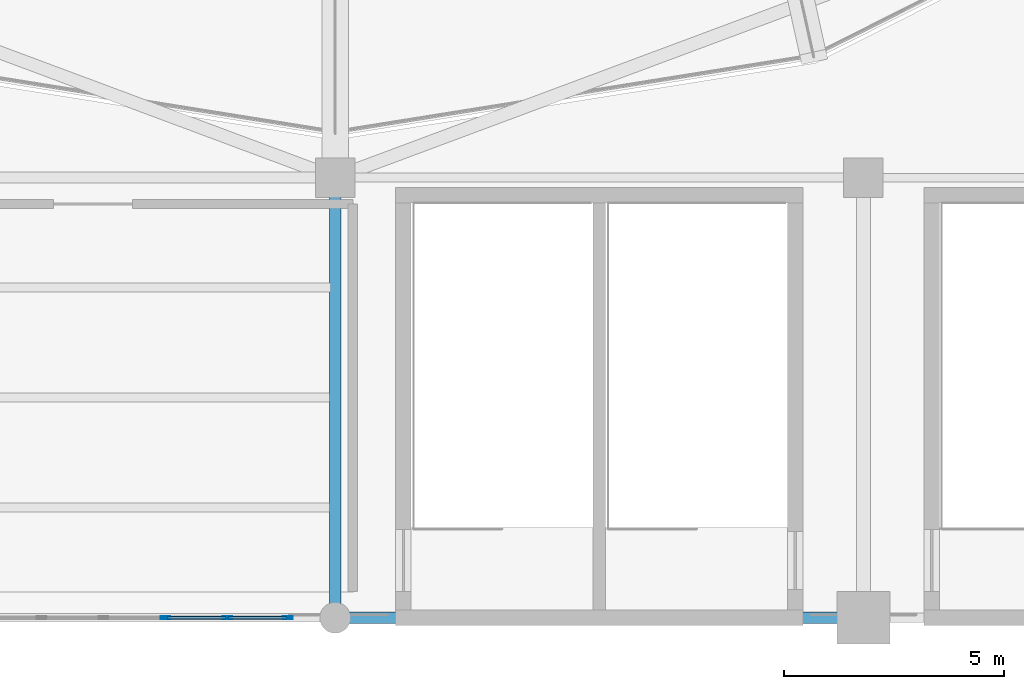
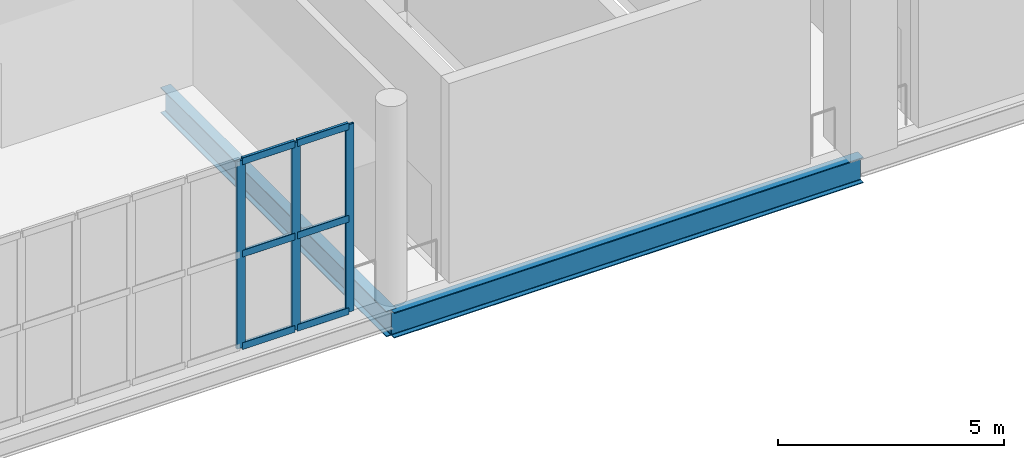
# One storey, part 12 of 74: 9 members, 2 beams, 1 element without a shape of its own.
"""IFC4 building model written with IfcOpenShell, lengths in metres."""

from ifc_helpers import new_model, si_unit, direction, frame, origin, origin_2d, place, context, subcontext, project, spatial, hollow_rectangle, i_section, extrude, material, layer, layer_set, material_profile, profile_set, type_object, element, aggregate, save


model = new_model("IFC4")

# Units and contexts
model_context = context("Model", 3, precision=1e-05, world=origin(), true_north=direction((0.0, 1.0)))
body_context = subcontext(model_context, "Body", "Model", "MODEL_VIEW")
ifc_project = project(units=[si_unit("LENGTHUNIT", "METRE"), si_unit("AREAUNIT", "SQUARE_METRE"), si_unit("VOLUMEUNIT", "CUBIC_METRE"), si_unit("PLANEANGLEUNIT", "RADIAN"), si_unit("MASSUNIT", "GRAM", prefix="KILO")], contexts=[model_context])

# Site, building, storey
site_placement = place(None, origin())
site = spatial("IfcSite", under=ifc_project, at=site_placement, CompositionType="ELEMENT")
building_placement = place(site_placement, origin())
building = spatial("IfcBuilding", under=site, at=building_placement, Name="Brinegate Civic Arena", CompositionType="ELEMENT")
storey_placement = place(building_placement, frame((0.0, 0.0, 19.199951171875)))
storey = spatial("IfcBuildingStorey", under=building, at=storey_placement, Name="L04", CompositionType="ELEMENT", Elevation=19.199951171875)

# Curtain wall, members
ifc_material_1 = material(Name="Marine grade aluminium", Category="aluminium")
ifc_layer = layer(ifc_material_1, 0.25, Name="Marine grade aluminium")
ifc_layer_set = layer_set([ifc_layer], Name="Marine grade aluminium")
curtain_wall_type = type_object("IfcCurtainWallType", Name="CW-PORTAL-SOUTH-02", PredefinedType="USERDEFINED", material=ifc_layer_set)
curtain_wall_placement = place(storey_placement, origin())
curtain_wall = element("IfcCurtainWall", 1, at=curtain_wall_placement, inside=storey, type_object=curtain_wall_type, Name="Curtain Wall CWA-147", ObjectType="PORTAL CURTAIN WALL", PredefinedType="USERDEFINED")
ifc_material_profile_1 = material_profile(ifc_material_1, hollow_rectangle(XDim=0.06494140625, YDim=0.219970703125, WallThickness=0.006103515625, InnerFilletRadius=0.00390625, OuterFilletRadius=0.008056640625, at=origin_2d()), Name="MUL65X220")
ifc_profile_set_1 = profile_set([ifc_material_profile_1], Name="Marine grade aluminium")
member_type_1 = type_object("IfcMemberType", Name="CW-MULLION-65X220", PredefinedType="MULLION", material=ifc_profile_set_1)
member_1_placement = place(storey_placement, frame((104.143798828125, 0.0, 0.0), z_axis=(0.0, 0.0, 1.0), x_axis=(0.0, 1.0, 0.0)))
member_1 = element("IfcMember", 2, at=member_1_placement, type_object=member_type_1, Name="CWA-147 mullion 6", PredefinedType="MULLION", context=body_context, shape_type="SweptSolid", body=[
    extrude(hollow_rectangle(XDim=0.06494140625, YDim=0.219970703125, WallThickness=0.006103515625, InnerFilletRadius=0.00390625, OuterFilletRadius=0.008056640625, at=origin_2d()), origin(), (0.0, 0.0, 1.0), 5.070068359375),
])
member_2_placement = place(storey_placement, frame((105.54931640625, 0.0, 0.0), z_axis=(0.0, 0.0, 1.0), x_axis=(0.0, 1.0, 0.0)))
member_2 = element("IfcMember", 3, at=member_2_placement, type_object=member_type_1, Name="CWA-147 mullion 7", PredefinedType="MULLION", context=body_context, shape_type="SweptSolid", body=[
    extrude(hollow_rectangle(XDim=0.06494140625, YDim=0.219970703125, WallThickness=0.006103515625, InnerFilletRadius=0.00390625, OuterFilletRadius=0.008056640625, at=origin_2d()), origin(), (0.0, 0.0, 1.0), 5.070068359375),
])
member_3_placement = place(storey_placement, frame((106.922607421875, 0.0, 0.0), z_axis=(0.0, 0.0, 1.0), x_axis=(0.0, 1.0, 0.0)))
member_3 = element("IfcMember", 4, at=member_3_placement, type_object=member_type_1, Name="CWA-147 mullion 8", PredefinedType="MULLION", context=body_context, shape_type="SweptSolid", body=[
    extrude(hollow_rectangle(XDim=0.06494140625, YDim=0.219970703125, WallThickness=0.006103515625, InnerFilletRadius=0.00390625, OuterFilletRadius=0.008056640625, at=origin_2d()), origin(), (0.0, 0.0, 1.0), 5.070068359375),
])
ifc_material_profile_2 = material_profile(ifc_material_1, hollow_rectangle(XDim=0.074951171875, YDim=0.18994140625, WallThickness=0.006103515625, InnerFilletRadius=0.00390625, OuterFilletRadius=0.008056640625, at=origin_2d()), Name="TRN75X190")
ifc_profile_set_2 = profile_set([ifc_material_profile_2], Name="Marine grade aluminium")
member_type_2 = type_object("IfcMemberType", Name="CW-TRANSOM-75X190", PredefinedType="USERDEFINED", material=ifc_profile_set_2)
member_4_placement = place(storey_placement, frame((104.17626953125, 0.0, 0.03759765625), z_axis=(1.0, 0.0, 0.0), x_axis=(0.0, 1.0, 0.0)))
member_4 = element("IfcMember", 5, at=member_4_placement, type_object=member_type_2, Name="CWA-147 transom 6.1", ObjectType="TRANSOM", PredefinedType="USERDEFINED", context=body_context, shape_type="SweptSolid", body=[
    extrude(hollow_rectangle(XDim=0.074951171875, YDim=0.18994140625, WallThickness=0.006103515625, InnerFilletRadius=0.00390625, OuterFilletRadius=0.008056640625, at=origin_2d()), origin(), (0.0, 0.0, 1.0), 1.340576171875),
])
member_5_placement = place(storey_placement, frame((104.17626953125, 0.0, 2.53515625), z_axis=(1.0, 0.0, 0.0), x_axis=(0.0, 1.0, 0.0)))
member_5 = element("IfcMember", 6, at=member_5_placement, type_object=member_type_2, Name="CWA-147 transom 6.2", ObjectType="TRANSOM", PredefinedType="USERDEFINED", context=body_context, shape_type="SweptSolid", body=[
    extrude(hollow_rectangle(XDim=0.074951171875, YDim=0.18994140625, WallThickness=0.006103515625, InnerFilletRadius=0.00390625, OuterFilletRadius=0.008056640625, at=origin_2d()), origin(), (0.0, 0.0, 1.0), 1.340576171875),
])
member_6_placement = place(storey_placement, frame((104.17626953125, 0.0, 5.032470703125), z_axis=(1.0, 0.0, 0.0), x_axis=(0.0, 1.0, 0.0)))
member_6 = element("IfcMember", 7, at=member_6_placement, type_object=member_type_2, Name="CWA-147 transom 6.3", ObjectType="TRANSOM", PredefinedType="USERDEFINED", context=body_context, shape_type="SweptSolid", body=[
    extrude(hollow_rectangle(XDim=0.074951171875, YDim=0.18994140625, WallThickness=0.006103515625, InnerFilletRadius=0.00390625, OuterFilletRadius=0.008056640625, at=origin_2d()), origin(), (0.0, 0.0, 1.0), 1.340576171875),
])
member_7_placement = place(storey_placement, frame((105.58203125, 0.0, 0.03759765625), z_axis=(1.0, 0.0, 0.0), x_axis=(0.0, 1.0, 0.0)))
member_7 = element("IfcMember", 8, at=member_7_placement, type_object=member_type_2, Name="CWA-147 transom 7.1", ObjectType="TRANSOM", PredefinedType="USERDEFINED", context=body_context, shape_type="SweptSolid", body=[
    extrude(hollow_rectangle(XDim=0.074951171875, YDim=0.18994140625, WallThickness=0.006103515625, InnerFilletRadius=0.00390625, OuterFilletRadius=0.008056640625, at=origin_2d()), origin(), (0.0, 0.0, 1.0), 1.307861328125),
])
member_8_placement = place(storey_placement, frame((105.58203125, 0.0, 2.53515625), z_axis=(1.0, 0.0, 0.0), x_axis=(0.0, 1.0, 0.0)))
member_8 = element("IfcMember", 9, at=member_8_placement, type_object=member_type_2, Name="CWA-147 transom 7.2", ObjectType="TRANSOM", PredefinedType="USERDEFINED", context=body_context, shape_type="SweptSolid", body=[
    extrude(hollow_rectangle(XDim=0.074951171875, YDim=0.18994140625, WallThickness=0.006103515625, InnerFilletRadius=0.00390625, OuterFilletRadius=0.008056640625, at=origin_2d()), origin(), (0.0, 0.0, 1.0), 1.307861328125),
])
member_9_placement = place(storey_placement, frame((105.58203125, 0.0, 5.032470703125), z_axis=(1.0, 0.0, 0.0), x_axis=(0.0, 1.0, 0.0)))
member_9 = element("IfcMember", 10, at=member_9_placement, type_object=member_type_2, Name="CWA-147 transom 7.3", ObjectType="TRANSOM", PredefinedType="USERDEFINED", context=body_context, shape_type="SweptSolid", body=[
    extrude(hollow_rectangle(XDim=0.074951171875, YDim=0.18994140625, WallThickness=0.006103515625, InnerFilletRadius=0.00390625, OuterFilletRadius=0.008056640625, at=origin_2d()), origin(), (0.0, 0.0, 1.0), 1.307861328125),
])
aggregate(curtain_wall, [member_1, member_2, member_3, member_4, member_5, member_6, member_7, member_8, member_9])

# Beams
ifc_material_2 = material(Name="Steel S355", Category="steel")
ifc_material_profile_3 = material_profile(ifc_material_2, i_section(OverallWidth=0.256103515625, OverallDepth=0.693115234375, WebThickness=0.014892578125, FlangeThickness=0.02392578125, FilletRadius=0.01806640625, at=origin_2d()), Name="W690X170")
ifc_profile_set_3 = profile_set([ifc_material_profile_3], Name="Steel S355")
beam_type_1 = type_object("IfcBeamType", Name="GIRDER-W690X170", PredefinedType="BEAM", material=ifc_profile_set_3)
beam_1_placement = place(storey_placement, frame((108.0, 0.0, -0.68603515625), z_axis=(0.0, 1.0, 0.0), x_axis=(-1.0, 0.0, 0.0)))
element("IfcBeam", 11, at=beam_1_placement, inside=storey, type_object=beam_type_1, Name="Floor Girder BM-L04-GY-09-00", PredefinedType="BEAM", context=body_context, shape_type="SweptSolid", body=[
    extrude(i_section(OverallWidth=0.256103515625, OverallDepth=0.693115234375, WebThickness=0.014892578125, FlangeThickness=0.02392578125, FilletRadius=0.01806640625, at=origin_2d()), origin(), (0.0, 0.0, 1.0), 10.0),
])
ifc_material_profile_4 = material_profile(ifc_material_2, i_section(OverallWidth=0.256103515625, OverallDepth=0.693115234375, WebThickness=0.014892578125, FlangeThickness=0.02392578125, FilletRadius=0.01806640625, at=origin_2d()), Name="W690X170")
ifc_profile_set_4 = profile_set([ifc_material_profile_4], Name="Steel S355")
beam_type_2 = type_object("IfcBeamType", Name="SPANDREL-W690X170", PredefinedType="SPANDREL", material=ifc_profile_set_4)
beam_2_placement = place(storey_placement, frame((108.0, 0.0, -0.68603515625), z_axis=(1.0, 0.0, 0.0), x_axis=(0.0, 1.0, 0.0)))
element("IfcBeam", 12, at=beam_2_placement, inside=storey, type_object=beam_type_2, Name="Floor Girder BM-L04-GX-09-00", PredefinedType="SPANDREL", context=body_context, shape_type="SweptSolid", body=[
    extrude(i_section(OverallWidth=0.256103515625, OverallDepth=0.693115234375, WebThickness=0.014892578125, FlangeThickness=0.02392578125, FilletRadius=0.01806640625, at=origin_2d()), origin(), (0.0, 0.0, 1.0), 12.0),
])

save(model, "model.ifc")
